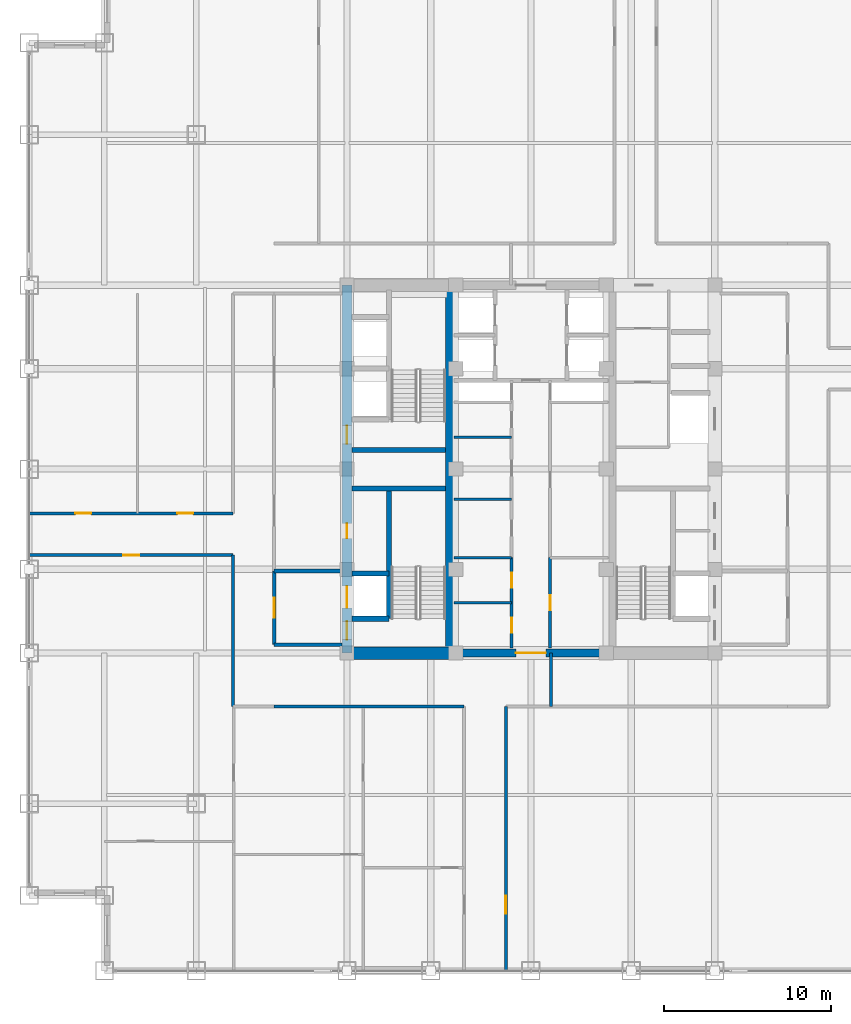
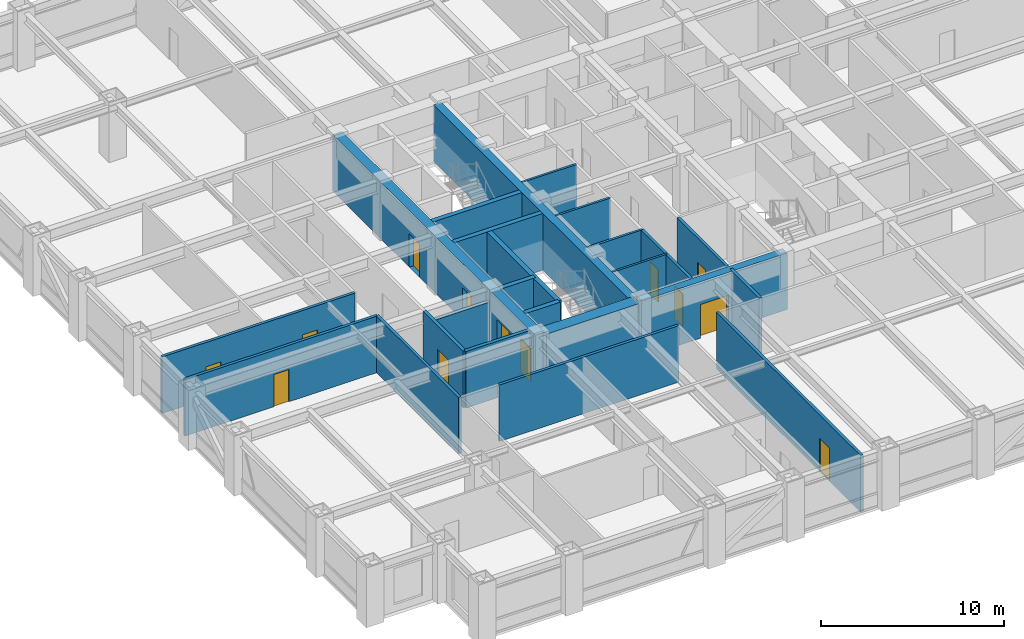
# One storey, part 20 of 24: 24 walls, 13 doors, 13 openings.
"""IFC4 building model written with IfcOpenShell, lengths in metres."""

import ifcopenshell
import ifcopenshell.guid

model = None  # the IFC model being written
_history = None  # IfcOwnerHistory: only IFC2X3 demands one
_inside = {}  # id of a spatial element -> (the spatial element, [elements in it])
_under = {}  # id of a project, library or spatial element -> (it, [spatial elements below it])
_declared = {}  # id of a project -> (the project, [libraries it declares])
_typed = {}  # id of a type object -> (the type object, [elements of that type])
_made_of = {}  # id of a material, layer set ... -> (it, [elements and type objects made of it])


def new_model(schema):
    """Start an empty IFC model of exactly this schema.

    Asked for "IFC4X3", IfcOpenShell would pick the latest addendum, in which some entities
    have other attributes; the version numbers below select the first issue.
    IFC2X3 requires an IfcOwnerHistory on every rooted entity: one is made here for all.
    """
    global model, _history
    if schema == "IFC4X3":
        model = ifcopenshell.file(schema_version=(4, 3, 0, 0))
    else:
        model = ifcopenshell.file(schema=schema)
    _inside.clear()
    _under.clear()
    _declared.clear()
    _typed.clear()
    _made_of.clear()
    _history = None
    if model.schema == "IFC2X3":
        org = make("IfcOrganization", Name="unknown")
        user = make(
            "IfcPersonAndOrganization",
            ThePerson=make("IfcPerson", FamilyName="unknown"),
            TheOrganization=org,
        )
        app = make(
            "IfcApplication",
            ApplicationDeveloper=org,
            Version="unknown",
            ApplicationFullName="unknown",
            ApplicationIdentifier="unknown",
        )
        _history = make(
            "IfcOwnerHistory",
            OwningUser=user,
            OwningApplication=app,
            ChangeAction="ADDED",
            CreationDate=0,
        )
    return model


def make(cls, **values):
    """One entity of the class cls with the attributes given. An attribute that is None is left unset."""
    return model.create_entity(
        cls, **{name: value for name, value in values.items() if value is not None}
    )


def rooted(cls, **values):
    """An entity with a GlobalId (a new one), such as an element, a storey or a relation."""
    return make(cls, GlobalId=ifcopenshell.guid.new(), OwnerHistory=_history, **values)


def si_unit(unit_type, name, prefix=None):
    """IfcSIUnit, for example si_unit("LENGTHUNIT", "METRE", prefix="MILLI")."""
    return make("IfcSIUnit", UnitType=unit_type, Prefix=prefix, Name=name)


def assignment(units):
    """IfcUnitAssignment: the units of a project."""
    return None if units is None else make("IfcUnitAssignment", Units=units)


def point(xyz):
    """IfcCartesianPoint."""
    return None if xyz is None else make("IfcCartesianPoint", Coordinates=xyz)


def direction(xyz):
    """IfcDirection."""
    return None if xyz is None else make("IfcDirection", DirectionRatios=xyz)


def frame(location, z_axis=None, x_axis=None):
    """IfcAxis2Placement3D, a coordinate frame: its origin and axes. An axis left out is left unset."""
    return make(
        "IfcAxis2Placement3D",
        Location=point(location),
        Axis=direction(z_axis),
        RefDirection=direction(x_axis),
    )


def frame_2d(location, x_axis=None):
    """IfcAxis2Placement2D, a coordinate frame in the plane: its origin and x axis."""
    return make(
        "IfcAxis2Placement2D", Location=point(location), RefDirection=direction(x_axis)
    )


def origin():
    """The frame at (0, 0, 0) with its axes left unset."""
    return frame((0.0, 0.0, 0.0))


def place(relative_to, where):
    """IfcLocalPlacement: puts the frame where relative to a parent placement (None: the world)."""
    return make(
        "IfcLocalPlacement", PlacementRelTo=relative_to, RelativePlacement=where
    )


def context(
    kind, dimensions, precision=None, world=None, true_north=None, identifier=None
):
    """IfcGeometricRepresentationContext, for example the 3D "Model" context."""
    return make(
        "IfcGeometricRepresentationContext",
        ContextIdentifier=identifier,
        ContextType=kind,
        CoordinateSpaceDimension=dimensions,
        Precision=precision,
        WorldCoordinateSystem=world,
        TrueNorth=true_north,
    )


def subcontext(parent, identifier, kind, view, scale=None):
    """IfcGeometricRepresentationSubContext, for example "Body" below "Model"."""
    return make(
        "IfcGeometricRepresentationSubContext",
        ContextIdentifier=identifier,
        ContextType=kind,
        ParentContext=parent,
        TargetScale=scale,
        TargetView=view,
    )


def project(units=None, contexts=None):
    """IfcProject with its units and contexts."""
    return rooted(
        "IfcProject",
        Name="project",
        RepresentationContexts=contexts,
        UnitsInContext=assignment(units),
    )


def spatial(cls, under=None, at=None, **own):
    """A site, building, storey or space (cls), placed at a placement, below another one or the project."""
    s = rooted(cls, ObjectPlacement=at, **own)
    if under is not None:
        _under.setdefault(under.id(), (under, []))[1].append(s)
    return s


def profile(cls, at=None, kind="AREA", **sizes):
    """A parametric profile (cls). Its sizes go by their IFC names, for example OverallWidth=200.0."""
    return make(cls, ProfileType=kind, Position=at, **sizes)


def rectangle(**sizes):
    """IfcRectangleProfileDef."""
    return profile("IfcRectangleProfileDef", **sizes)


def extrude(swept, where, along, depth):
    """IfcExtrudedAreaSolid: the profile swept, set in the frame where, extruded along a direction by depth."""
    return make(
        "IfcExtrudedAreaSolid",
        SweptArea=swept,
        Position=where,
        ExtrudedDirection=direction(along),
        Depth=depth,
    )


def shape(context_of_items, identifier, shape_type, items):
    """IfcShapeRepresentation: the items that make up one representation, for example the "Body"."""
    return make(
        "IfcShapeRepresentation",
        ContextOfItems=context_of_items,
        RepresentationIdentifier=identifier,
        RepresentationType=shape_type,
        Items=items,
    )


def source(mapping_origin, context_of_items, identifier, shape_type, items):
    """IfcRepresentationMap: a shape defined once, which mapped items show again and again."""
    return make(
        "IfcRepresentationMap",
        MappingOrigin=mapping_origin,
        MappedRepresentation=shape(context_of_items, identifier, shape_type, items),
    )


def transform(
    local_origin,
    x_axis=None,
    y_axis=None,
    z_axis=None,
    scale=None,
    scale2=None,
    scale3=None,
    uniform=True,
):
    """IfcCartesianTransformationOperator3D, or its non-uniform kind. x_axis, y_axis, z_axis: its Axis1, 2, 3."""
    if uniform:
        return make(
            "IfcCartesianTransformationOperator3D",
            Axis1=direction(x_axis),
            Axis2=direction(y_axis),
            LocalOrigin=point(local_origin),
            Scale=scale,
            Axis3=direction(z_axis),
        )
    return make(
        "IfcCartesianTransformationOperator3DnonUniform",
        Axis1=direction(x_axis),
        Axis2=direction(y_axis),
        LocalOrigin=point(local_origin),
        Scale=scale,
        Axis3=direction(z_axis),
        Scale2=scale2,
        Scale3=scale3,
    )


def mapped(mapping_source, mapping_target):
    """IfcMappedItem: shows the shape of a source again, moved by a transform."""
    return make(
        "IfcMappedItem", MappingSource=mapping_source, MappingTarget=mapping_target
    )


def material(Name=None, Category=None):
    """IfcMaterial."""
    return make("IfcMaterial", Name=Name, Category=Category)


def layer(
    of_material, thickness, ventilated=None, Name=None, Category=None, Priority=None
):
    """IfcMaterialLayer: one layer of a wall or slab, of a material (None: an air gap)."""
    return make(
        "IfcMaterialLayer",
        Material=of_material,
        LayerThickness=thickness,
        IsVentilated=ventilated,
        Name=Name,
        Category=Category,
        Priority=Priority,
    )


def layer_set(layers, Name=None):
    """IfcMaterialLayerSet."""
    return make("IfcMaterialLayerSet", MaterialLayers=layers, LayerSetName=Name)


def made_of(thing, what):
    """Note that an element or type object is made of a material, layer set ...; save() writes the relation."""
    if what is not None:
        _made_of.setdefault(what.id(), (what, []))[1].append(thing)
    return thing


def type_object(cls, material=None, **own):
    """A type object (cls), such as IfcWallType, which elements share."""
    return made_of(rooted(cls, **own), material)


def element(
    cls,
    number,
    at=None,
    inside=None,
    cuts=None,
    type_object=None,
    material=None,
    context=None,
    identifier="Body",
    shape_type=None,
    held_by="IfcProductDefinitionShape",
    body=None,
    shapes=None,
    **own,
):
    """One element of the class cls, such as IfcWall. Its Tag is "e" and its number.

    at: its placement. inside: the storey or other place that contains it. cuts: it is an
    opening in that element (IfcRelVoidsElement). A single representation is given by context,
    identifier, shape_type and body (its items); several are given by shapes. held_by: the class
    of the entity that holds the representations. save() writes the other relations.
    """
    e = rooted(cls, Tag="e%d" % number, ObjectPlacement=at, **own)
    if body is not None:
        shapes = [shape(context, identifier, shape_type, body)]
    if shapes is not None:
        e.Representation = make(held_by, Representations=shapes)
    if inside is not None:
        _inside.setdefault(inside.id(), (inside, []))[1].append(e)
    if cuts is not None:
        rooted(
            "IfcRelVoidsElement", RelatingBuildingElement=cuts, RelatedOpeningElement=e
        )
    if type_object is not None:
        _typed.setdefault(type_object.id(), (type_object, []))[1].append(e)
    return made_of(e, material)


def fill(opening, filler):
    """IfcRelFillsElement: the door or window that sits in an opening."""
    return rooted(
        "IfcRelFillsElement",
        RelatingOpeningElement=opening,
        RelatedBuildingElement=filler,
    )


def aggregate(whole, parts):
    """IfcRelAggregates: a whole, such as a stair, and the parts it consists of."""
    return rooted("IfcRelAggregates", RelatingObject=whole, RelatedObjects=parts)


def save(model, path):
    """Write the relations noted so far, then the file.

    IfcRelAggregates (storeys below a building ...), IfcRelContainedInSpatialStructure (elements
    in a storey), IfcRelDefinesByType, IfcRelAssociatesMaterial and IfcRelDeclares: one each for
    every whole, place, type object, material and project.
    """
    for whole, parts in _under.values():
        aggregate(whole, parts)
    for where, things in _inside.values():
        rooted(
            "IfcRelContainedInSpatialStructure",
            RelatedElements=things,
            RelatingStructure=where,
        )
    for kind, things in _typed.values():
        rooted("IfcRelDefinesByType", RelatedObjects=things, RelatingType=kind)
    for what, things in _made_of.values():
        rooted("IfcRelAssociatesMaterial", RelatedObjects=things, RelatingMaterial=what)
    for by, libraries in _declared.values():
        rooted("IfcRelDeclares", RelatingContext=by, RelatedDefinitions=libraries)
    model.write(path)


model = new_model("IFC4")

# Units and contexts
model_context = context("Model", 3, precision=1e-05, world=origin(), true_north=direction((0.0, 1.0)))
body_context = subcontext(model_context, "Body", "Model", "MODEL_VIEW")
ifc_project = project(units=[si_unit("LENGTHUNIT", "METRE"), si_unit("AREAUNIT", "SQUARE_METRE"), si_unit("VOLUMEUNIT", "CUBIC_METRE"), si_unit("PLANEANGLEUNIT", "RADIAN"), si_unit("MASSUNIT", "GRAM", prefix="KILO")], contexts=[model_context])

# Site, building, storey
site_placement = place(None, origin())
site = spatial("IfcSite", under=ifc_project, at=site_placement, CompositionType="ELEMENT")
building_placement = place(site_placement, origin())
building = spatial("IfcBuilding", under=site, at=building_placement, Name="Khorayat Bourse Tower", CompositionType="ELEMENT")
storey_placement = place(building_placement, frame((0.0, 0.0, 179.10009765625)))
storey = spatial("IfcBuildingStorey", under=building, at=storey_placement, Name="L41", CompositionType="ELEMENT", Elevation=179.10009765625)

# Wall, openings, doors
ifc_material_1 = material(Name="Concrete C60/75", Category="concrete")
ifc_layer_1 = layer(ifc_material_1, 0.60009765625)
ifc_layer_set_1 = layer_set([ifc_layer_1], Name="Concrete C60/75")
wall_type_1 = type_object("IfcWallType", Name="WAL-CORE-600", PredefinedType="SHEAR", material=ifc_layer_set_1)
shared_shape_1 = source(origin(), body_context, "Body", "SweptSolid", [
    extrude(rectangle(XDim=22.0, YDim=0.60009765625, at=frame_2d((11.0, 0.0))), origin(), (0.0, 0.0, 1.0), 3.77978515625),
])
wall_1_placement = place(storey_placement, frame((-11.0, -11.0, 0.0), z_axis=(0.0, 0.0, 1.0), x_axis=(0.0, 1.0, 0.0)))
wall_1 = element("IfcWall", 1, at=wall_1_placement, inside=storey, type_object=wall_type_1, Name="L41 Core Shear Wall CORE-W", PredefinedType="SHEAR", context=body_context, shape_type="MappedRepresentation", body=[
    mapped(shared_shape_1, transform((0.0, 0.0, 0.0), scale=1.0)),
])
shared_shape_2 = source(origin(), body_context, "Body", "SweptSolid", [
    extrude(rectangle(XDim=1.10009765625, YDim=2.199951171875, at=frame_2d((0.550048828125, 1.10009765625))), frame((0.0, 0.31005859375, 0.0), z_axis=(0.0, -1.0, 0.0), x_axis=(1.0, 0.0, 0.0)), (0.0, 0.0, 1.0), 0.6201171875),
])
opening_1_placement = place(wall_1_placement, frame((0.800048828125, 0.0, 0.0)))
opening_1 = element("IfcOpeningElement", 2, at=opening_1_placement, cuts=wall_1, Name="Opening DI-01", PredefinedType="OPENING", context=body_context, shape_type="MappedRepresentation", body=[
    mapped(shared_shape_2, transform((0.0, 0.0, 0.0), scale=1.0)),
])
opening_2_placement = place(wall_1_placement, frame((12.5, 0.0, 0.0)))
opening_2 = element("IfcOpeningElement", 3, at=opening_2_placement, cuts=wall_1, Name="Opening DI-01", PredefinedType="OPENING", context=body_context, shape_type="MappedRepresentation", body=[
    mapped(shared_shape_2, transform((0.0, 0.0, 0.0), scale=1.0)),
])
shared_shape_3 = source(origin(), body_context, "Body", "SweptSolid", [
    extrude(rectangle(XDim=0.89990234375, YDim=2.14990234375, at=frame_2d((0.449951171875, 1.074951171875))), frame((0.0, 0.31005859375, 0.0), z_axis=(0.0, -1.0, 0.0), x_axis=(1.0, 0.0, 0.0)), (0.0, 0.0, 1.0), 0.6201171875),
])
opening_3_placement = place(wall_1_placement, frame((6.85009765625, 0.0, 0.0)))
opening_3 = element("IfcOpeningElement", 4, at=opening_3_placement, cuts=wall_1, Name="Opening DI-06", PredefinedType="OPENING", context=body_context, shape_type="MappedRepresentation", body=[
    mapped(shared_shape_3, transform((0.0, 0.0, 0.0), scale=1.0)),
])
shared_shape_4 = source(origin(), body_context, "Body", "SweptSolid", [
    extrude(rectangle(XDim=1.300048828125, YDim=2.300048828125, at=frame_2d((0.64990234375, 1.14990234375))), frame((0.0, 0.31005859375, 0.0), z_axis=(0.0, -1.0, 0.0), x_axis=(1.0, 0.0, 0.0)), (0.0, 0.0, 1.0), 0.6201171875),
])
opening_4_placement = place(wall_1_placement, frame((2.699951171875, 0.0, 0.0)))
opening_4 = element("IfcOpeningElement", 5, at=opening_4_placement, cuts=wall_1, Name="Opening LD-02", PredefinedType="OPENING", context=body_context, shape_type="MappedRepresentation", body=[
    mapped(shared_shape_4, transform((0.0, 0.0, 0.0), scale=1.0)),
])
ifc_material_2 = material(Name="Fire-rated steel acoustic leaf", Category="steel")
door_type_1 = type_object("IfcDoorType", Name="DR-INT-STAIR-1100", OperationType="NOTDEFINED", PredefinedType="DOOR", material=ifc_material_2)
shared_shape_5 = source(origin(), body_context, "Body", "SweptSolid", [
    extrude(rectangle(XDim=1.10009765625, YDim=2.199951171875, at=frame_2d((0.550048828125, 1.10009765625))), frame((0.0, 0.02490234375, 0.0), z_axis=(0.0, -1.0, 0.0), x_axis=(1.0, 0.0, 0.0)), (0.0, 0.0, 1.0), 0.050048828125),
])
door_1_placement = place(opening_1_placement, origin())
door_1 = element("IfcDoor", 6, at=door_1_placement, inside=storey, type_object=door_type_1, Name="L41 Exit Stair 1 Door", OperationType="SINGLE_SWING_RIGHT", OverallHeight=2.199951171875, OverallWidth=1.10009765625, PredefinedType="DOOR", context=body_context, shape_type="MappedRepresentation", body=[
    mapped(shared_shape_5, transform((0.0, 0.0, 0.0), scale=1.0)),
])
fill(opening_1, door_1)
door_2_placement = place(opening_2_placement, origin())
door_2 = element("IfcDoor", 7, at=door_2_placement, inside=storey, type_object=door_type_1, Name="L41 Exit Stair 2 Door", OperationType="SINGLE_SWING_RIGHT", OverallHeight=2.199951171875, OverallWidth=1.10009765625, PredefinedType="DOOR", context=body_context, shape_type="MappedRepresentation", body=[
    mapped(shared_shape_5, transform((0.0, 0.0, 0.0), scale=1.0)),
])
fill(opening_2, door_2)
ifc_material_3 = material(Name="Moisture-resistant laminate washroom door")
door_type_2 = type_object("IfcDoorType", Name="DR-INT-WC-900", OperationType="NOTDEFINED", PredefinedType="DOOR", material=ifc_material_3)
shared_shape_6 = source(origin(), body_context, "Body", "SweptSolid", [
    extrude(rectangle(XDim=0.89990234375, YDim=2.14990234375, at=frame_2d((0.449951171875, 1.074951171875))), frame((0.0, 0.02490234375, 0.0), z_axis=(0.0, -1.0, 0.0), x_axis=(1.0, 0.0, 0.0)), (0.0, 0.0, 1.0), 0.050048828125),
])
door_3_placement = place(opening_3_placement, origin())
door_3 = element("IfcDoor", 8, at=door_3_placement, inside=storey, type_object=door_type_2, Name="L41 Electrical Switch Plant Room Door", OperationType="SINGLE_SWING_RIGHT", OverallHeight=2.14990234375, OverallWidth=0.89990234375, PredefinedType="DOOR", context=body_context, shape_type="MappedRepresentation", body=[
    mapped(shared_shape_6, transform((0.0, 0.0, 0.0), scale=1.0)),
])
fill(opening_3, door_3)
ifc_material_4 = material(Name="Fire-rated stainless-steel sliding landing door", Category="steel")
door_type_3 = type_object("IfcDoorType", Name="DR-LIFT-FF-1300", OperationType="NOTDEFINED", PredefinedType="DOOR", material=ifc_material_4)
shared_shape_7 = source(origin(), body_context, "Body", "SweptSolid", [
    extrude(rectangle(XDim=1.300048828125, YDim=2.300048828125, at=frame_2d((0.64990234375, 1.14990234375))), frame((0.0, 0.02490234375, 0.0), z_axis=(0.0, -1.0, 0.0), x_axis=(1.0, 0.0, 0.0)), (0.0, 0.0, 1.0), 0.050048828125),
])
door_4_placement = place(opening_4_placement, origin())
door_4 = element("IfcDoor", 9, at=door_4_placement, inside=storey, type_object=door_type_3, Name="L41 Lift FFL-01 Sliding Landing Door", OperationType="SLIDING_TO_LEFT", OverallHeight=2.300048828125, OverallWidth=1.300048828125, PredefinedType="DOOR", context=body_context, shape_type="MappedRepresentation", body=[
    mapped(shared_shape_7, transform((0.0, 0.0, 0.0), scale=1.0)),
])
fill(opening_4, door_4)

# Walls
ifc_material_5 = material(Name="Concrete C52/65", Category="concrete")
ifc_layer_2 = layer(ifc_material_5, 0.5)
ifc_layer_set_2 = layer_set([ifc_layer_2], Name="Concrete C52/65")
wall_type_2 = type_object("IfcWallType", Name="WAL-CORE-500", PredefinedType="SHEAR", material=ifc_layer_set_2)
shared_shape_8 = source(origin(), body_context, "Body", "SweptSolid", [
    extrude(rectangle(XDim=21.39990234375, YDim=0.5, at=frame_2d((10.699951171875, 0.0))), origin(), (0.0, 0.0, 1.0), 3.77978515625),
])
wall_2_placement = place(storey_placement, frame((-4.85009765625, -10.699951171875, 0.0), z_axis=(0.0, 0.0, 1.0), x_axis=(0.0, 1.0, 0.0)))
element("IfcWall", 10, at=wall_2_placement, inside=storey, type_object=wall_type_2, Name="L41 Core Shear Wall PIER-W", PredefinedType="SHEAR", context=body_context, shape_type="MappedRepresentation", body=[
    mapped(shared_shape_8, transform((0.0, 0.0, 0.0), scale=1.0)),
])
ifc_material_6 = material(Name="Concrete C72/90", Category="concrete")
ifc_layer_3 = layer(ifc_material_6, 0.75)
ifc_layer_set_3 = layer_set([ifc_layer_3], Name="Concrete C72/90")
wall_type_3 = type_object("IfcWallType", Name="WAL-CORE-750", PredefinedType="SHEAR", material=ifc_layer_set_3)
shared_shape_9 = source(origin(), body_context, "Body", "SweptSolid", [
    extrude(rectangle(XDim=5.849853515625, YDim=0.75, at=frame_2d((2.9248046875, 0.0))), origin(), (0.0, 0.0, 1.0), 3.77978515625),
])
wall_3_placement = place(storey_placement, frame((-10.699951171875, -11.0, 0.0), z_axis=(0.0, 0.0, 1.0), x_axis=(1.0, 0.0, 0.0)))
element("IfcWall", 11, at=wall_3_placement, inside=storey, type_object=wall_type_3, Name="L41 Core Shear Wall PIER-WS", PredefinedType="SHEAR", context=body_context, shape_type="MappedRepresentation", body=[
    mapped(shared_shape_9, transform((0.0, 0.0, 0.0), scale=1.0)),
])
ifc_material_7 = material(Name="Concrete C50/60", Category="concrete")
ifc_layer_4 = layer(ifc_material_7, 0.300048828125)
ifc_layer_set_4 = layer_set([ifc_layer_4], Name="Concrete C50/60")
wall_type_4 = type_object("IfcWallType", Name="WAL-SHAFT-300", PredefinedType="SHEAR", material=ifc_layer_set_4)
shared_shape_10 = source(origin(), body_context, "Body", "SweptSolid", [
    extrude(rectangle(XDim=5.599853515625, YDim=0.300048828125, at=frame_2d((2.7998046875, 0.0))), origin(), (0.0, 0.0, 1.0), 3.77978515625),
])
for number, where, z_axis, x_axis, name in (
    (12, (-10.699951171875, -1.14990234375, 0.0), (0.0, 0.0, 1.0), (1.0, 0.0, 0.0), "L41 Core Shear Wall ST1-DIV"),
    (13, (-10.699951171875, 1.14990234375, 0.0), (0.0, 0.0, 1.0), (1.0, 0.0, 0.0), "L41 Core Shear Wall ST2-DIV"),
):
    element("IfcWall", number, at=place(storey_placement, frame(where, z_axis=z_axis, x_axis=x_axis)), inside=storey, type_object=wall_type_4, Name=name, PredefinedType="SHEAR", context=body_context, shape_type="MappedRepresentation", body=[
        mapped(shared_shape_10, transform((0.0, 0.0, 0.0), scale=1.0)),
    ])

# Wall, opening, door
shared_shape_11 = source(origin(), body_context, "Body", "SweptSolid", [
    extrude(rectangle(XDim=9.2001953125, YDim=0.5, at=frame_2d((4.60009765625, 0.0))), origin(), (0.0, 0.0, 1.0), 3.77978515625),
])
wall_4_placement = place(storey_placement, frame((-4.60009765625, -11.0, 0.0), z_axis=(0.0, 0.0, 1.0), x_axis=(1.0, 0.0, 0.0)))
wall_4 = element("IfcWall", 14, at=wall_4_placement, inside=storey, type_object=wall_type_2, Name="L41 Core Shear Wall CORE-S", PredefinedType="SHEAR", context=body_context, shape_type="MappedRepresentation", body=[
    mapped(shared_shape_11, transform((0.0, 0.0, 0.0), scale=1.0)),
])
shared_shape_12 = source(origin(), body_context, "Body", "SweptSolid", [
    extrude(rectangle(XDim=1.800048828125, YDim=2.25, at=frame_2d((0.89990234375, 1.125))), frame((0.0, 0.260009765625, 0.0), z_axis=(0.0, -1.0, 0.0), x_axis=(1.0, 0.0, 0.0)), (0.0, 0.0, 1.0), 0.52001953125),
])
opening_5_placement = place(wall_4_placement, frame((3.699951171875, 0.0, 0.0)))
opening_5 = element("IfcOpeningElement", 15, at=opening_5_placement, cuts=wall_4, Name="Opening DI-03", PredefinedType="OPENING", context=body_context, shape_type="MappedRepresentation", body=[
    mapped(shared_shape_12, transform((0.0, 0.0, 0.0), scale=1.0)),
])
ifc_material_8 = material(Name="Fire-rated hardwood vision-panel double leaf", Category="wood")
door_type_4 = type_object("IfcDoorType", Name="DR-INT-CORR-1800", OperationType="NOTDEFINED", PredefinedType="DOOR", material=ifc_material_8)
shared_shape_13 = source(origin(), body_context, "Body", "SweptSolid", [
    extrude(rectangle(XDim=1.800048828125, YDim=2.25, at=frame_2d((0.89990234375, 1.125))), frame((0.0, 0.02490234375, 0.0), z_axis=(0.0, -1.0, 0.0), x_axis=(1.0, 0.0, 0.0)), (0.0, 0.0, 1.0), 0.050048828125),
])
door_5_placement = place(opening_5_placement, origin())
door_5 = element("IfcDoor", 16, at=door_5_placement, inside=storey, type_object=door_type_4, Name="L41 Central Core South Passage Door", OperationType="SINGLE_SWING_LEFT", OverallHeight=2.25, OverallWidth=1.800048828125, PredefinedType="DOOR", context=body_context, shape_type="MappedRepresentation", body=[
    mapped(shared_shape_13, transform((0.0, 0.0, 0.0), scale=1.0)),
])
fill(opening_5, door_5)

# Walls
shared_shape_14 = source(origin(), body_context, "Body", "SweptSolid", [
    extrude(rectangle(XDim=7.800048828125, YDim=0.300048828125, at=frame_2d((3.89990234375, 0.0))), origin(), (0.0, 0.0, 1.0), 3.77978515625),
])
wall_5_placement = place(storey_placement, frame((-8.5, -8.949951171875, 0.0), z_axis=(0.0, 0.0, 1.0), x_axis=(0.0, 1.0, 0.0)))
element("IfcWall", 17, at=wall_5_placement, inside=storey, type_object=wall_type_4, Name="L41 Partition WAL-L41-WPIER-SP", PredefinedType="SHEAR", context=body_context, shape_type="MappedRepresentation", body=[
    mapped(shared_shape_14, transform((0.0, 0.0, 0.0), scale=1.0)),
])
shared_shape_15 = source(origin(), body_context, "Body", "SweptSolid", [
    extrude(rectangle(XDim=2.199951171875, YDim=0.300048828125, at=frame_2d((1.10009765625, 0.0))), origin(), (0.0, 0.0, 1.0), 3.77978515625),
])
for number, where, z_axis, x_axis, name in (
    (18, (-10.699951171875, -8.949951171875, 0.0), (0.0, 0.0, 1.0), (1.0, 0.0, 0.0), "L41 Partition WAL-L41-WPIER-FF1S"),
    (19, (-10.699951171875, -6.25, 0.0), (0.0, 0.0, 1.0), (1.0, 0.0, 0.0), "L41 Partition WAL-L41-WPIER-FF1N"),
):
    element("IfcWall", number, at=place(storey_placement, frame(where, z_axis=z_axis, x_axis=x_axis)), inside=storey, type_object=wall_type_4, Name=name, PredefinedType="SHEAR", context=body_context, shape_type="MappedRepresentation", body=[
        mapped(shared_shape_15, transform((0.0, 0.0, 0.0), scale=1.0)),
    ])
ifc_material_9 = material(Name="Aerated concrete blockwork", Category="masonry")
ifc_layer_5 = layer(ifc_material_9, 0.219970703125)
ifc_layer_set_5 = layer_set([ifc_layer_5], Name="Aerated concrete blockwork")
wall_type_5 = type_object("IfcWallType", Name="WAL-PART-FF-220", PredefinedType="PARTITIONING", material=ifc_layer_set_5)
shared_shape_16 = source(origin(), body_context, "Body", "SweptSolid", [
    extrude(rectangle(XDim=4.050048828125, YDim=0.219970703125, at=frame_2d((2.02490234375, 0.0))), origin(), (0.0, 0.0, 1.0), 3.77978515625),
])
wall_6_placement = place(storey_placement, frame((-15.35009765625, -10.5, 0.0), z_axis=(0.0, 0.0, 1.0), x_axis=(1.0, 0.0, 0.0)))
element("IfcWall", 20, at=wall_6_placement, inside=storey, type_object=wall_type_5, Name="L41 Partition WAL-L41-FFLW-S", PredefinedType="PARTITIONING", context=body_context, shape_type="MappedRepresentation", body=[
    mapped(shared_shape_16, transform((0.0, 0.0, 0.0), scale=1.0)),
])
shared_shape_17 = source(origin(), body_context, "Body", "SweptSolid", [
    extrude(rectangle(XDim=4.050048828125, YDim=0.219970703125, at=frame_2d((2.02490234375, 0.0))), origin(), (0.0, 0.0, 1.0), 3.0068359375),
])
wall_7_placement = place(storey_placement, frame((-15.35009765625, -6.10009765625, 0.0), z_axis=(0.0, 0.0, 1.0), x_axis=(1.0, 0.0, 0.0)))
element("IfcWall", 21, at=wall_7_placement, inside=storey, type_object=wall_type_5, Name="L41 Partition WAL-L41-FFLW-N", PredefinedType="PARTITIONING", context=body_context, shape_type="MappedRepresentation", body=[
    mapped(shared_shape_17, transform((0.0, 0.0, 0.0), scale=1.0)),
])

# Wall, opening, door
shared_shape_18 = source(origin(), body_context, "Body", "SweptSolid", [
    extrude(rectangle(XDim=4.39990234375, YDim=0.219970703125, at=frame_2d((2.199951171875, 0.0))), origin(), (0.0, 0.0, 1.0), 3.77978515625),
])
wall_8_placement = place(storey_placement, frame((-15.35009765625, -10.5, 0.0), z_axis=(0.0, 0.0, 1.0), x_axis=(0.0, 1.0, 0.0)))
wall_8 = element("IfcWall", 22, at=wall_8_placement, inside=storey, type_object=wall_type_5, Name="L41 Partition WAL-L41-FFLW-W", PredefinedType="PARTITIONING", context=body_context, shape_type="MappedRepresentation", body=[
    mapped(shared_shape_18, transform((0.0, 0.0, 0.0), scale=1.0)),
])
shared_shape_19 = source(origin(), body_context, "Body", "SweptSolid", [
    extrude(rectangle(XDim=1.199951171875, YDim=2.199951171875, at=frame_2d((0.60009765625, 1.10009765625))), frame((0.0, 0.119873046875, 0.0), z_axis=(0.0, -1.0, 0.0), x_axis=(1.0, 0.0, 0.0)), (0.0, 0.0, 1.0), 0.239990234375),
])
opening_6_placement = place(wall_8_placement, frame((1.60009765625, 0.0, 0.0)))
opening_6 = element("IfcOpeningElement", 23, at=opening_6_placement, cuts=wall_8, Name="Opening DI-02", PredefinedType="OPENING", context=body_context, shape_type="MappedRepresentation", body=[
    mapped(shared_shape_19, transform((0.0, 0.0, 0.0), scale=1.0)),
])
ifc_material_10 = material(Name="Fire-rated steel double-seal leaf", Category="steel")
door_type_5 = type_object("IfcDoorType", Name="DR-INT-FFLOBBY-1200", OperationType="NOTDEFINED", PredefinedType="DOOR", material=ifc_material_10)
shared_shape_20 = source(origin(), body_context, "Body", "SweptSolid", [
    extrude(rectangle(XDim=1.199951171875, YDim=2.199951171875, at=frame_2d((0.60009765625, 1.10009765625))), frame((0.0, 0.02490234375, 0.0), z_axis=(0.0, -1.0, 0.0), x_axis=(1.0, 0.0, 0.0)), (0.0, 0.0, 1.0), 0.050048828125),
])
door_6_placement = place(opening_6_placement, origin())
door_6 = element("IfcDoor", 24, at=door_6_placement, inside=storey, type_object=door_type_5, Name="L41 West Firefighting Lobby Door", OperationType="SINGLE_SWING_LEFT", OverallHeight=2.199951171875, OverallWidth=1.199951171875, PredefinedType="DOOR", context=body_context, shape_type="MappedRepresentation", body=[
    mapped(shared_shape_20, transform((0.0, 0.0, 0.0), scale=1.0)),
])
fill(opening_6, door_6)

# Walls
ifc_material_11 = material(Name="Gypsum plasterboard twin-frame partition")
ifc_layer_6 = layer(ifc_material_11, 0.14990234375)
ifc_layer_set_6 = layer_set([ifc_layer_6], Name="Gypsum plasterboard twin-frame partition")
wall_type_6 = type_object("IfcWallType", Name="WAL-PART-SUITE-150", PredefinedType="PARTITIONING", material=ifc_layer_set_6)
shared_shape_21 = source(origin(), body_context, "Body", "SweptSolid", [
    extrude(rectangle(XDim=3.4501953125, YDim=0.14990234375, at=frame_2d((1.72509765625, 0.0))), origin(), (0.0, 0.0, 1.0), 3.77978515625),
])
wall_9_placement = place(storey_placement, frame((-4.60009765625, -5.300048828125, 0.0), z_axis=(0.0, 0.0, 1.0), x_axis=(1.0, 0.0, 0.0)))
element("IfcWall", 25, at=wall_9_placement, inside=storey, type_object=wall_type_6, Name="L41 Partition WAL-L41-FB1-NW", PredefinedType="PARTITIONING", context=body_context, shape_type="MappedRepresentation", body=[
    mapped(shared_shape_21, transform((0.0, 0.0, 0.0), scale=1.0)),
])
ifc_material_12 = material(Name="Moisture-resistant masonry partition", Category="masonry")
ifc_layer_7 = layer(ifc_material_12, 0.139892578125)
ifc_layer_set_7 = layer_set([ifc_layer_7], Name="Moisture-resistant masonry partition")
wall_type_7 = type_object("IfcWallType", Name="WAL-PART-WET-140", PredefinedType="PARTITIONING", material=ifc_layer_set_7)
shared_shape_22 = source(origin(), body_context, "Body", "SweptSolid", [
    extrude(rectangle(XDim=3.4501953125, YDim=0.139892578125, at=frame_2d((1.72509765625, 0.0))), origin(), (0.0, 0.0, 1.0), 3.77978515625),
])
for number, where, z_axis, x_axis, name in (
    (26, (-4.60009765625, -8.0, 0.0), (0.0, 0.0, 1.0), (1.0, 0.0, 0.0), "L41 Partition WAL-L41-FB1W-D1"),
    (27, (-4.60009765625, -1.800048828125, 0.0), (0.0, 0.0, 1.0), (1.0, 0.0, 0.0), "L41 Partition WAL-L41-CMW-D1"),
    (28, (-4.60009765625, 1.89990234375, 0.0), (0.0, 0.0, 1.0), (1.0, 0.0, 0.0), "L41 Partition WAL-L41-CMW-D2"),
):
    element("IfcWall", number, at=place(storey_placement, frame(where, z_axis=z_axis, x_axis=x_axis)), inside=storey, type_object=wall_type_7, Name=name, PredefinedType="PARTITIONING", context=body_context, shape_type="MappedRepresentation", body=[
        mapped(shared_shape_22, transform((0.0, 0.0, 0.0), scale=1.0)),
    ])

# Wall, openings, doors
ifc_material_13 = material(Name="Gypsum plasterboard acoustic stud wall")
ifc_layer_8 = layer(ifc_material_13, 0.179931640625)
ifc_layer_set_8 = layer_set([ifc_layer_8], Name="Gypsum plasterboard acoustic stud wall")
wall_type_8 = type_object("IfcWallType", Name="WAL-PART-CORR-180", PredefinedType="PARTITIONING", material=ifc_layer_set_8)
shared_shape_23 = source(origin(), body_context, "Body", "SweptSolid", [
    extrude(rectangle(XDim=5.39990234375, YDim=0.179931640625, at=frame_2d((2.699951171875, 0.0))), origin(), (0.0, 0.0, 1.0), 3.77978515625),
])
wall_10_placement = place(storey_placement, frame((-1.14990234375, -10.699951171875, 0.0), z_axis=(0.0, 0.0, 1.0), x_axis=(0.0, 1.0, 0.0)))
wall_10 = element("IfcWall", 29, at=wall_10_placement, inside=storey, type_object=wall_type_8, Name="L41 Partition WAL-L41-FB1W-L", PredefinedType="PARTITIONING", context=body_context, shape_type="MappedRepresentation", body=[
    mapped(shared_shape_23, transform((0.0, 0.0, 0.0), scale=1.0)),
])
shared_shape_24 = source(origin(), body_context, "Body", "SweptSolid", [
    extrude(rectangle(XDim=0.89990234375, YDim=2.14990234375, at=frame_2d((0.449951171875, 1.074951171875))), frame((0.0, 0.099853515625, 0.0), z_axis=(0.0, -1.0, 0.0), x_axis=(1.0, 0.0, 0.0)), (0.0, 0.0, 1.0), 0.199951171875),
])
opening_7_placement = place(wall_10_placement, frame((0.89990234375, 0.0, 0.0)))
opening_7 = element("IfcOpeningElement", 30, at=opening_7_placement, cuts=wall_10, Name="Opening DI-06", PredefinedType="OPENING", context=body_context, shape_type="MappedRepresentation", body=[
    mapped(shared_shape_24, transform((0.0, 0.0, 0.0), scale=1.0)),
])
opening_8_placement = place(wall_10_placement, frame((3.60009765625, 0.0, 0.0)))
opening_8 = element("IfcOpeningElement", 31, at=opening_8_placement, cuts=wall_10, Name="Opening DI-06", PredefinedType="OPENING", context=body_context, shape_type="MappedRepresentation", body=[
    mapped(shared_shape_24, transform((0.0, 0.0, 0.0), scale=1.0)),
])
door_7_placement = place(opening_7_placement, origin())
door_7 = element("IfcDoor", 32, at=door_7_placement, inside=storey, type_object=door_type_2, Name="L41 Clearing Vault Store Door", OperationType="SINGLE_SWING_RIGHT", OverallHeight=2.14990234375, OverallWidth=0.89990234375, PredefinedType="DOOR", context=body_context, shape_type="MappedRepresentation", body=[
    mapped(shared_shape_6, transform((0.0, 0.0, 0.0), scale=1.0)),
])
fill(opening_7, door_7)
door_8_placement = place(opening_8_placement, origin())
door_8 = element("IfcDoor", 33, at=door_8_placement, inside=storey, type_object=door_type_2, Name="L41 UPS Battery Plant Room Door", OperationType="SINGLE_SWING_LEFT", OverallHeight=2.14990234375, OverallWidth=0.89990234375, PredefinedType="DOOR", context=body_context, shape_type="MappedRepresentation", body=[
    mapped(shared_shape_6, transform((0.0, 0.0, 0.0), scale=1.0)),
])
fill(opening_8, door_8)

# Wall, opening, door
wall_11_placement = place(storey_placement, frame((1.14990234375, -10.699951171875, 0.0), z_axis=(0.0, 0.0, 1.0), x_axis=(0.0, 1.0, 0.0)))
wall_11 = element("IfcWall", 34, at=wall_11_placement, inside=storey, type_object=wall_type_8, Name="L41 Partition WAL-L41-FB1E-L", PredefinedType="PARTITIONING", context=body_context, shape_type="MappedRepresentation", body=[
    mapped(shared_shape_23, transform((0.0, 0.0, 0.0), scale=1.0)),
])
opening_9_placement = place(wall_11_placement, frame((2.25, 0.0, 0.0)))
opening_9 = element("IfcOpeningElement", 35, at=opening_9_placement, cuts=wall_11, Name="Opening DI-06", PredefinedType="OPENING", context=body_context, shape_type="MappedRepresentation", body=[
    mapped(shared_shape_24, transform((0.0, 0.0, 0.0), scale=1.0)),
])
door_9_placement = place(opening_9_placement, origin())
door_9 = element("IfcDoor", 36, at=door_9_placement, inside=storey, type_object=door_type_2, Name="L41 Core Archive Vault Door", OperationType="SINGLE_SWING_RIGHT", OverallHeight=2.14990234375, OverallWidth=0.89990234375, PredefinedType="DOOR", context=body_context, shape_type="MappedRepresentation", body=[
    mapped(shared_shape_6, transform((0.0, 0.0, 0.0), scale=1.0)),
])
fill(opening_9, door_9)

# Wall
shared_shape_25 = source(origin(), body_context, "Body", "SweptSolid", [
    extrude(rectangle(XDim=3.199951171875, YDim=0.179931640625, at=frame_2d((1.60009765625, 0.0))), origin(), (0.0, 0.0, 1.0), 3.77978515625),
])
wall_12_placement = place(storey_placement, frame((1.199951171875, -14.199951171875, 0.0), z_axis=(0.0, 0.0, 1.0), x_axis=(0.0, 1.0, 0.0)))
element("IfcWall", 37, at=wall_12_placement, inside=storey, type_object=wall_type_8, Name="L41 Partition WAL-L41-C2-SCE", PredefinedType="PARTITIONING", context=body_context, shape_type="MappedRepresentation", body=[
    mapped(shared_shape_25, transform((0.0, 0.0, 0.0), scale=1.0)),
])

# Wall, opening, door
shared_shape_26 = source(origin(), body_context, "Body", "SweptSolid", [
    extrude(rectangle(XDim=15.800048828125, YDim=0.179931640625, at=frame_2d((7.89990234375, 0.0))), origin(), (0.0, 0.0, 1.0), 3.77978515625),
])
wall_13_placement = place(storey_placement, frame((-1.5, -30.0, 0.0), z_axis=(0.0, 0.0, 1.0), x_axis=(0.0, 1.0, 0.0)))
wall_13 = element("IfcWall", 38, at=wall_13_placement, inside=storey, type_object=wall_type_8, Name="L41 Partition WAL-L41-QSE-SPK", PredefinedType="PARTITIONING", context=body_context, shape_type="MappedRepresentation", body=[
    mapped(shared_shape_26, transform((0.0, 0.0, 0.0), scale=1.0)),
])
shared_shape_27 = source(origin(), body_context, "Body", "SweptSolid", [
    extrude(rectangle(XDim=1.050048828125, YDim=2.199951171875, at=frame_2d((0.52490234375, 1.10009765625))), frame((0.0, 0.099853515625, 0.0), z_axis=(0.0, -1.0, 0.0), x_axis=(1.0, 0.0, 0.0)), (0.0, 0.0, 1.0), 0.199951171875),
])
opening_10_placement = place(wall_13_placement, frame((3.425048828125, 0.0, 0.0)))
opening_10 = element("IfcOpeningElement", 39, at=opening_10_placement, cuts=wall_13, Name="Opening DI-04", PredefinedType="OPENING", context=body_context, shape_type="MappedRepresentation", body=[
    mapped(shared_shape_27, transform((0.0, 0.0, 0.0), scale=1.0)),
])
ifc_material_14 = material(Name="Fire-rated oak veneer suite entrance door")
door_type_6 = type_object("IfcDoorType", Name="DR-INT-SUITE-1050", OperationType="NOTDEFINED", PredefinedType="DOOR", material=ifc_material_14)
shared_shape_28 = source(origin(), body_context, "Body", "SweptSolid", [
    extrude(rectangle(XDim=1.050048828125, YDim=2.199951171875, at=frame_2d((0.52490234375, 1.10009765625))), frame((0.0, 0.02490234375, 0.0), z_axis=(0.0, -1.0, 0.0), x_axis=(1.0, 0.0, 0.0)), (0.0, 0.0, 1.0), 0.050048828125),
])
door_10_placement = place(opening_10_placement, origin())
door_10 = element("IfcDoor", 40, at=door_10_placement, inside=storey, type_object=door_type_6, Name="L41 South-East Radial Spoke Entry", OperationType="SINGLE_SWING_LEFT", OverallHeight=2.199951171875, OverallWidth=1.050048828125, PredefinedType="DOOR", context=body_context, shape_type="MappedRepresentation", body=[
    mapped(shared_shape_28, transform((0.0, 0.0, 0.0), scale=1.0)),
])
fill(opening_10, door_10)

shared_shape_29 = source(origin(), body_context, "Body", "SweptSolid", [
    extrude(rectangle(XDim=12.199951171875, YDim=0.179931640625, at=frame_2d((6.10009765625, 0.0))), origin(), (0.0, 0.0, 1.0), 3.77978515625),
])
wall_14_placement = place(storey_placement, frame((-30.0, -5.14990234375, 0.0), z_axis=(0.0, 0.0, 1.0), x_axis=(1.0, 0.0, 0.0)))
wall_14 = element("IfcWall", 41, at=wall_14_placement, inside=storey, type_object=wall_type_8, Name="L41 Partition WAL-L41-WS-SPK", PredefinedType="PARTITIONING", context=body_context, shape_type="MappedRepresentation", body=[
    mapped(shared_shape_29, transform((0.0, 0.0, 0.0), scale=1.0)),
])
shared_shape_30 = source(origin(), body_context, "Body", "SweptSolid", [
    extrude(rectangle(XDim=0.949951171875, YDim=2.14990234375, at=frame_2d((0.47509765625, 1.074951171875))), frame((0.0, 0.099853515625, 0.0), z_axis=(0.0, -1.0, 0.0), x_axis=(1.0, 0.0, 0.0)), (0.0, 0.0, 1.0), 0.199951171875),
])
opening_11_placement = place(wall_14_placement, frame((5.625, 0.0, 0.0)))
opening_11 = element("IfcOpeningElement", 42, at=opening_11_placement, cuts=wall_14, Name="Opening DI-05", PredefinedType="OPENING", context=body_context, shape_type="MappedRepresentation", body=[
    mapped(shared_shape_30, transform((0.0, 0.0, 0.0), scale=1.0)),
])
ifc_material_15 = material(Name="Acoustic oak veneer office door")
door_type_7 = type_object("IfcDoorType", Name="DR-INT-OFFICE-950", OperationType="NOTDEFINED", PredefinedType="DOOR", material=ifc_material_15)
shared_shape_31 = source(origin(), body_context, "Body", "SweptSolid", [
    extrude(rectangle(XDim=0.949951171875, YDim=2.14990234375, at=frame_2d((0.47509765625, 1.074951171875))), frame((0.0, 0.02490234375, 0.0), z_axis=(0.0, -1.0, 0.0), x_axis=(1.0, 0.0, 0.0)), (0.0, 0.0, 1.0), 0.050048828125),
])
door_11_placement = place(opening_11_placement, origin())
door_11 = element("IfcDoor", 43, at=door_11_placement, inside=storey, type_object=door_type_7, Name="L41 Quantitative Research Study WS Door", OperationType="SINGLE_SWING_LEFT", OverallHeight=2.14990234375, OverallWidth=0.949951171875, PredefinedType="DOOR", context=body_context, shape_type="MappedRepresentation", body=[
    mapped(shared_shape_31, transform((0.0, 0.0, 0.0), scale=1.0)),
])
fill(opening_11, door_11)

# Wall, openings, doors
wall_15_placement = place(storey_placement, frame((-30.0, -2.64990234375, 0.0), z_axis=(0.0, 0.0, 1.0), x_axis=(1.0, 0.0, 0.0)))
wall_15 = element("IfcWall", 44, at=wall_15_placement, inside=storey, type_object=wall_type_8, Name="L41 Partition WAL-L41-WN-SPK", PredefinedType="PARTITIONING", context=body_context, shape_type="MappedRepresentation", body=[
    mapped(shared_shape_29, transform((0.0, 0.0, 0.0), scale=1.0)),
])
opening_12_placement = place(wall_15_placement, frame((2.758056640625, 0.0, 0.0)))
opening_12 = element("IfcOpeningElement", 45, at=opening_12_placement, cuts=wall_15, Name="Opening DI-05", PredefinedType="OPENING", context=body_context, shape_type="MappedRepresentation", body=[
    mapped(shared_shape_30, transform((0.0, 0.0, 0.0), scale=1.0)),
])
opening_13_placement = place(wall_15_placement, frame((8.85791015625, 0.0, 0.0)))
opening_13 = element("IfcOpeningElement", 46, at=opening_13_placement, cuts=wall_15, Name="Opening DI-05", PredefinedType="OPENING", context=body_context, shape_type="MappedRepresentation", body=[
    mapped(shared_shape_30, transform((0.0, 0.0, 0.0), scale=1.0)),
])
door_12_placement = place(opening_12_placement, origin())
door_12 = element("IfcDoor", 47, at=door_12_placement, inside=storey, type_object=door_type_7, Name="L41 Executive Boardroom WNA Door", OperationType="SINGLE_SWING_LEFT", OverallHeight=2.14990234375, OverallWidth=0.949951171875, PredefinedType="DOOR", context=body_context, shape_type="MappedRepresentation", body=[
    mapped(shared_shape_31, transform((0.0, 0.0, 0.0), scale=1.0)),
])
fill(opening_12, door_12)
door_13_placement = place(opening_13_placement, origin())
door_13 = element("IfcDoor", 48, at=door_13_placement, inside=storey, type_object=door_type_7, Name="L41 Market Committee Conference Room WNB Door", OperationType="SINGLE_SWING_RIGHT", OverallHeight=2.14990234375, OverallWidth=0.949951171875, PredefinedType="DOOR", context=body_context, shape_type="MappedRepresentation", body=[
    mapped(shared_shape_31, transform((0.0, 0.0, 0.0), scale=1.0)),
])
fill(opening_13, door_13)

# Walls
shared_shape_32 = source(origin(), body_context, "Body", "SweptSolid", [
    extrude(rectangle(XDim=11.35009765625, YDim=0.179931640625, at=frame_2d((5.675048828125, 0.0))), origin(), (0.0, 0.0, 1.0), 3.77978515625),
])
wall_16_placement = place(storey_placement, frame((-15.35009765625, -14.199951171875, 0.0), z_axis=(0.0, 0.0, 1.0), x_axis=(1.0, 0.0, 0.0)))
element("IfcWall", 49, at=wall_16_placement, inside=storey, type_object=wall_type_8, Name="L41 Partition WAL-L41-QSW-HC", PredefinedType="PARTITIONING", context=body_context, shape_type="MappedRepresentation", body=[
    mapped(shared_shape_32, transform((0.0, 0.0, 0.0), scale=1.0)),
])
shared_shape_33 = source(origin(), body_context, "Body", "SweptSolid", [
    extrude(rectangle(XDim=9.050048828125, YDim=0.179931640625, at=frame_2d((4.52490234375, 0.0))), origin(), (0.0, 0.0, 1.0), 3.77978515625),
])
wall_17_placement = place(storey_placement, frame((-17.800048828125, -14.199951171875, 0.0), z_axis=(0.0, 0.0, 1.0), x_axis=(0.0, 1.0, 0.0)))
element("IfcWall", 50, at=wall_17_placement, inside=storey, type_object=wall_type_8, Name="L41 Partition WAL-L41-WS-IN", PredefinedType="PARTITIONING", context=body_context, shape_type="MappedRepresentation", body=[
    mapped(shared_shape_33, transform((0.0, 0.0, 0.0), scale=1.0)),
])

save(model, "model.ifc")
